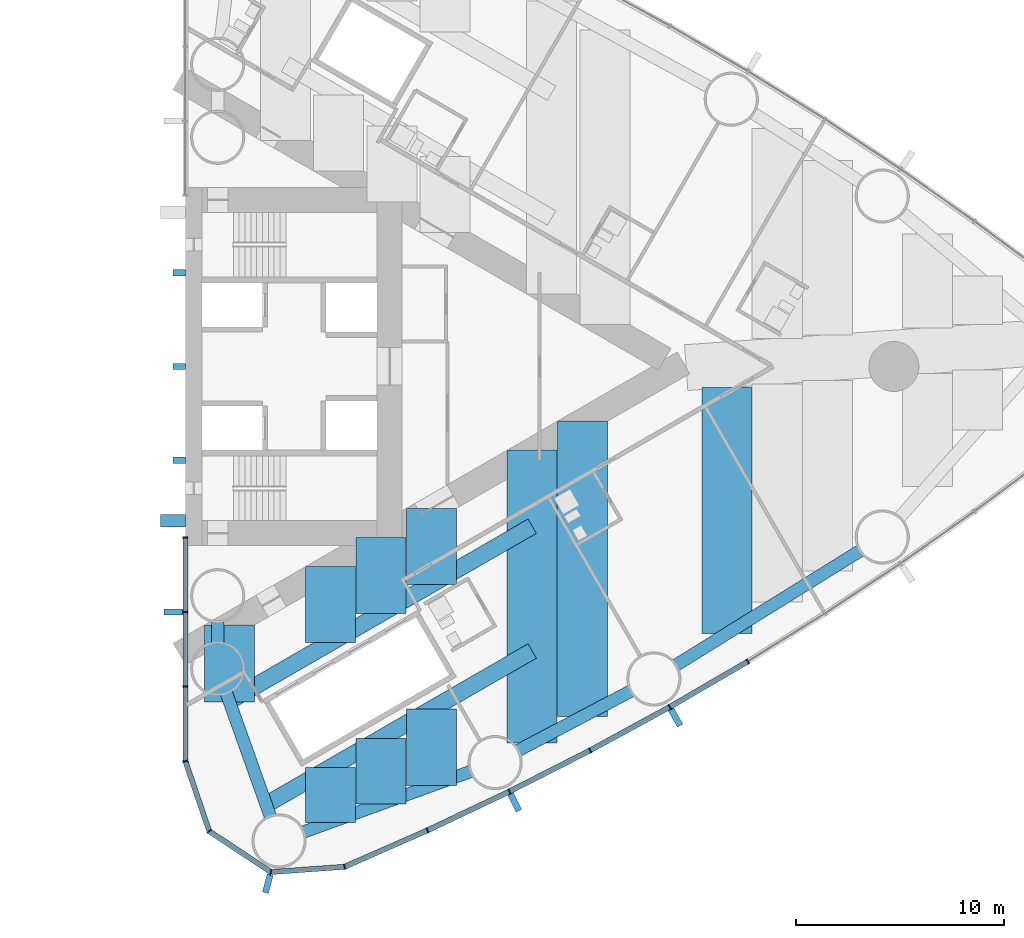
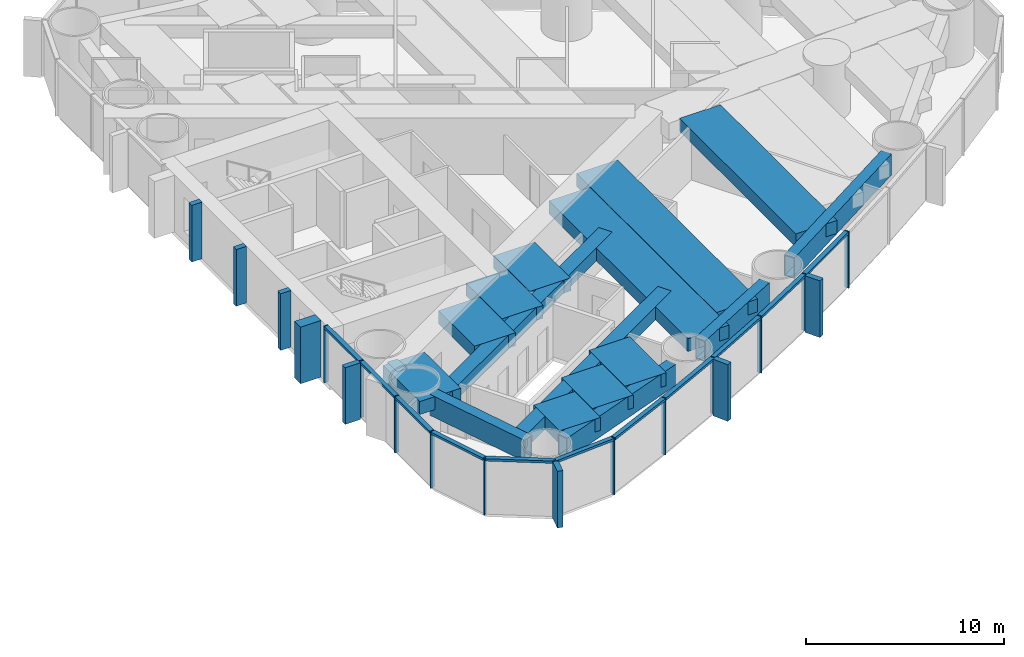
# One storey, part 6 of 18: 31 members, 17 beams, 1 element without a shape of its own.
"""IFC4 building model written with IfcOpenShell, lengths in metres."""

from ifc_helpers import new_model, si_unit, direction, frame, origin, origin_2d, place, context, subcontext, project, spatial, rectangle, hollow_rectangle, extrude, material, material_profile, profile_set, type_object, element, aggregate, save


model = new_model("IFC4")

# Units and contexts
model_context = context("Model", 3, precision=1e-05, world=origin(), true_north=direction((0.0, 1.0)))
body_context = subcontext(model_context, "Body", "Model", "MODEL_VIEW")
ifc_project = project(units=[si_unit("LENGTHUNIT", "METRE"), si_unit("AREAUNIT", "SQUARE_METRE"), si_unit("VOLUMEUNIT", "CUBIC_METRE"), si_unit("PLANEANGLEUNIT", "RADIAN"), si_unit("MASSUNIT", "GRAM", prefix="KILO")], contexts=[model_context])

# Site, building, storey
site_placement = place(None, origin())
site = spatial("IfcSite", under=ifc_project, at=site_placement, CompositionType="ELEMENT")
building_placement = place(site_placement, origin())
building = spatial("IfcBuilding", under=site, at=building_placement, Name="Lancet Gate Hotel", CompositionType="ELEMENT")
storey_placement = place(building_placement, frame((0.0, 0.0, 139.60009765625)))
storey = spatial("IfcBuildingStorey", under=building, at=storey_placement, Name="L37", CompositionType="ELEMENT", Elevation=139.60009765625)

# Curtain wall, members
ifc_material_1 = material(Name="Aluminium curtain wall", Category="aluminium")
curtain_wall_type = type_object("IfcCurtainWallType", Name="Tower unitised curtain wall", PredefinedType="USERDEFINED", material=ifc_material_1)
curtain_wall_placement = place(storey_placement, origin())
curtain_wall = element("IfcCurtainWall", 1, at=curtain_wall_placement, inside=storey, type_object=curtain_wall_type, Name="T2 L37 curtain wall 1", ObjectType="UNITISED CURTAIN WALL", PredefinedType="USERDEFINED")
ifc_material_2 = material(Name="Aluminium mullion", Category="aluminium")
ifc_material_profile_1 = material_profile(ifc_material_2, rectangle(XDim=0.06494140625, YDim=0.25, at=origin_2d()), Name="MULLION 65x250")
ifc_profile_set_1 = profile_set([ifc_material_profile_1], Name="Aluminium mullion")
member_type_1 = type_object("IfcMemberType", Name="Aluminium mullion 65x250", PredefinedType="MULLION", material=ifc_profile_set_1)
member_1_placement = place(storey_placement, frame((27.5, -8.199951171875, 0.0), z_axis=(0.0, 0.0, 1.0), x_axis=(0.0, -1.0, 0.0)))
member_1 = element("IfcMember", 2, at=member_1_placement, type_object=member_type_1, Name="T2 L37 curtain wall 1 mullion 1", PredefinedType="MULLION", context=body_context, shape_type="SweptSolid", body=[
    extrude(rectangle(XDim=0.06494140625, YDim=0.25, at=origin_2d()), origin(), (0.0, 0.0, 1.0), 3.5),
])
member_2_placement = place(storey_placement, frame((27.5, -11.781005859375, 0.0), z_axis=(0.0, 0.0, 1.0), x_axis=(0.0, -1.0, 0.0)))
member_2 = element("IfcMember", 3, at=member_2_placement, type_object=member_type_1, Name="T2 L37 curtain wall 1 mullion 2", PredefinedType="MULLION", context=body_context, shape_type="SweptSolid", body=[
    extrude(rectangle(XDim=0.06494140625, YDim=0.25, at=origin_2d()), origin(), (0.0, 0.0, 1.0), 3.5),
])
member_3_placement = place(storey_placement, frame((27.5, -15.362060546875, 0.0), z_axis=(0.0, 0.0, 1.0), x_axis=(0.0, -1.0, 0.0)))
member_3 = element("IfcMember", 4, at=member_3_placement, type_object=member_type_1, Name="T2 L37 curtain wall 1 mullion 3", PredefinedType="MULLION", context=body_context, shape_type="SweptSolid", body=[
    extrude(rectangle(XDim=0.06494140625, YDim=0.25, at=origin_2d()), origin(), (0.0, 0.0, 1.0), 3.5),
])
member_4_placement = place(storey_placement, frame((27.5, -18.94287109375, 0.0), z_axis=(0.0, 0.0, 1.0), x_axis=(0.162738742557, -0.986669195663, 0.0)))
member_4 = element("IfcMember", 5, at=member_4_placement, type_object=member_type_1, Name="T2 L37 curtain wall 1 mullion 4", PredefinedType="MULLION", context=body_context, shape_type="SweptSolid", body=[
    extrude(rectangle(XDim=0.06494140625, YDim=0.25, at=origin_2d()), origin(), (0.0, 0.0, 1.0), 3.5),
])
member_5_placement = place(storey_placement, frame((28.64453125, -22.301513671875, 0.0), z_axis=(0.0, 0.0, 1.0), x_axis=(0.610663954798, -0.79188984986, 0.0)))
member_5 = element("IfcMember", 6, at=member_5_placement, type_object=member_type_1, Name="T2 L37 curtain wall 1 mullion 5", PredefinedType="MULLION", context=body_context, shape_type="SweptSolid", body=[
    extrude(rectangle(XDim=0.06494140625, YDim=0.25, at=origin_2d()), origin(), (0.0, 0.0, 1.0), 3.5),
])
member_6_placement = place(storey_placement, frame((31.60205078125, -24.26220703125, 0.0), z_axis=(0.0, 0.0, 1.0), x_axis=(0.967157174963, -0.254179068604, 0.0)))
member_6 = element("IfcMember", 7, at=member_6_placement, type_object=member_type_1, Name="T2 L37 curtain wall 1 mullion 6", PredefinedType="MULLION", context=body_context, shape_type="SweptSolid", body=[
    extrude(rectangle(XDim=0.06494140625, YDim=0.25, at=origin_2d()), origin(), (0.0, 0.0, 1.0), 3.5),
])
member_7_placement = place(storey_placement, frame((35.141357421875, -24.009033203125, 0.0), z_axis=(0.0, 0.0, 1.0), x_axis=(0.966317378791, 0.257353304711, 0.0)))
member_7 = element("IfcMember", 8, at=member_7_placement, type_object=member_type_1, Name="T2 L37 curtain wall 1 mullion 7", PredefinedType="MULLION", context=body_context, shape_type="SweptSolid", body=[
    extrude(rectangle(XDim=0.06494140625, YDim=0.25, at=origin_2d()), origin(), (0.0, 0.0, 1.0), 3.5),
])
member_8_placement = place(storey_placement, frame((39.12109375, -22.259765625, 0.0), z_axis=(0.0, 0.0, 1.0), x_axis=(0.909672766767, 0.415325724465, 0.0)))
member_8 = element("IfcMember", 9, at=member_8_placement, type_object=member_type_1, Name="T2 L37 curtain wall 1 mullion 8", PredefinedType="MULLION", context=body_context, shape_type="SweptSolid", body=[
    extrude(rectangle(XDim=0.06494140625, YDim=0.25, at=origin_2d()), origin(), (0.0, 0.0, 1.0), 3.5),
])
member_9_placement = place(storey_placement, frame((43.0498046875, -20.398193359375, 0.0), z_axis=(0.0, 0.0, 1.0), x_axis=(0.897511886496, 0.440990264743, 0.0)))
member_9 = element("IfcMember", 10, at=member_9_placement, type_object=member_type_1, Name="T2 L37 curtain wall 1 mullion 9", PredefinedType="MULLION", context=body_context, shape_type="SweptSolid", body=[
    extrude(rectangle(XDim=0.06494140625, YDim=0.25, at=origin_2d()), origin(), (0.0, 0.0, 1.0), 3.5),
])
member_10_placement = place(storey_placement, frame((46.923828125, -18.426025390625, 0.0), z_axis=(0.0, 0.0, 1.0), x_axis=(0.884627112962, 0.466299121822, 0.0)))
member_10 = element("IfcMember", 11, at=member_10_placement, type_object=member_type_1, Name="T2 L37 curtain wall 1 mullion 10", PredefinedType="MULLION", context=body_context, shape_type="SweptSolid", body=[
    extrude(rectangle(XDim=0.06494140625, YDim=0.25, at=origin_2d()), origin(), (0.0, 0.0, 1.0), 3.5),
])
member_11_placement = place(storey_placement, frame((50.740478515625, -16.344482421875, 0.0), z_axis=(0.0, 0.0, 1.0), x_axis=(0.871028838445, 0.491231882716, 0.0)))
member_11 = element("IfcMember", 12, at=member_11_placement, type_object=member_type_1, Name="T2 L37 curtain wall 1 mullion 11", PredefinedType="MULLION", context=body_context, shape_type="SweptSolid", body=[
    extrude(rectangle(XDim=0.06494140625, YDim=0.25, at=origin_2d()), origin(), (0.0, 0.0, 1.0), 3.5),
])
member_12_placement = place(storey_placement, frame((54.496337890625, -14.1552734375, 0.0), z_axis=(0.0, 0.0, 1.0), x_axis=(0.856728030701, 0.515768437781, 0.0)))
member_12 = element("IfcMember", 13, at=member_12_placement, type_object=member_type_1, Name="T2 L37 curtain wall 1 mullion 12", PredefinedType="MULLION", context=body_context, shape_type="SweptSolid", body=[
    extrude(rectangle(XDim=0.06494140625, YDim=0.25, at=origin_2d()), origin(), (0.0, 0.0, 1.0), 3.5),
])
ifc_material_3 = material(Name="Aluminium transom", Category="aluminium")
ifc_material_profile_2 = material_profile(ifc_material_3, rectangle(XDim=0.25, YDim=0.14990234375, at=origin_2d()), Name="TRANSOM 250x150")
ifc_profile_set_2 = profile_set([ifc_material_profile_2], Name="Aluminium transom")
member_type_2 = type_object("IfcMemberType", Name="Aluminium transom 250x150", PredefinedType="USERDEFINED", material=ifc_profile_set_2)
member_13_placement = place(storey_placement, frame((27.5, -8.232421875, 3.4248046875), z_axis=(0.0, -1.0, 0.0), x_axis=(1.0, 0.0, 0.0)))
member_13 = element("IfcMember", 14, at=member_13_placement, type_object=member_type_2, Name="T2 L37 curtain wall 1 transom 1", ObjectType="TRANSOM", PredefinedType="USERDEFINED", context=body_context, shape_type="SweptSolid", body=[
    extrude(rectangle(XDim=0.25, YDim=0.14990234375, at=origin_2d()), origin(), (0.0, 0.0, 1.0), 3.51611328125),
])
member_14_placement = place(storey_placement, frame((27.5, -11.8134765625, 3.4248046875), z_axis=(0.0, -1.0, 0.0), x_axis=(1.0, 0.0, 0.0)))
member_14 = element("IfcMember", 15, at=member_14_placement, type_object=member_type_2, Name="T2 L37 curtain wall 1 transom 2", ObjectType="TRANSOM", PredefinedType="USERDEFINED", context=body_context, shape_type="SweptSolid", body=[
    extrude(rectangle(XDim=0.25, YDim=0.14990234375, at=origin_2d()), origin(), (0.0, 0.0, 1.0), 3.515869140625),
])
member_15_placement = place(storey_placement, frame((27.5, -15.39453125, 3.4248046875), z_axis=(0.0, -1.0, 0.0), x_axis=(1.0, 0.0, 0.0)))
member_15 = element("IfcMember", 16, at=member_15_placement, type_object=member_type_2, Name="T2 L37 curtain wall 1 transom 3", ObjectType="TRANSOM", PredefinedType="USERDEFINED", context=body_context, shape_type="SweptSolid", body=[
    extrude(rectangle(XDim=0.25, YDim=0.14990234375, at=origin_2d()), origin(), (0.0, 0.0, 1.0), 3.515869140625),
])
member_16_placement = place(storey_placement, frame((27.510498046875, -18.9736328125, 3.4248046875), z_axis=(0.322549769135, -0.946552505903, 0.0), x_axis=(0.946552505903, 0.322549769135, 0.0)))
member_16 = element("IfcMember", 17, at=member_16_placement, type_object=member_type_2, Name="T2 L37 curtain wall 1 transom 4", ObjectType="TRANSOM", PredefinedType="USERDEFINED", context=body_context, shape_type="SweptSolid", body=[
    extrude(rectangle(XDim=0.25, YDim=0.14990234375, at=origin_2d()), origin(), (0.0, 0.0, 1.0), 3.4833984375),
])
member_17_placement = place(storey_placement, frame((28.671630859375, -22.319580078125, 3.4248046875), z_axis=(0.833470854141, -0.552563421968, 0.0), x_axis=(0.552563421968, 0.833470854141, 0.0)))
member_17 = element("IfcMember", 18, at=member_17_placement, type_object=member_type_2, Name="T2 L37 curtain wall 1 transom 5", ObjectType="TRANSOM", PredefinedType="USERDEFINED", context=body_context, shape_type="SweptSolid", body=[
    extrude(rectangle(XDim=0.25, YDim=0.14990234375, at=origin_2d()), origin(), (0.0, 0.0, 1.0), 3.4833984375),
])
member_18_placement = place(storey_placement, frame((31.634521484375, -24.260009765625, 3.4248046875), z_axis=(0.997446232115, 0.071421383636, 0.0), x_axis=(-0.071421383636, 0.997446232115, 0.0)))
member_18 = element("IfcMember", 19, at=member_18_placement, type_object=member_type_2, Name="T2 L37 curtain wall 1 transom 6", ObjectType="TRANSOM", PredefinedType="USERDEFINED", context=body_context, shape_type="SweptSolid", body=[
    extrude(rectangle(XDim=0.25, YDim=0.14990234375, at=origin_2d()), origin(), (0.0, 0.0, 1.0), 3.483154296875),
])
member_19_placement = place(storey_placement, frame((35.171142578125, -23.995849609375, 3.4248046875), z_axis=(0.915484772266, 0.402352621155, 0.0), x_axis=(-0.402352621155, 0.915484772266, 0.0)))
member_19 = element("IfcMember", 20, at=member_19_placement, type_object=member_type_2, Name="T2 L37 curtain wall 1 transom 7", ObjectType="TRANSOM", PredefinedType="USERDEFINED", context=body_context, shape_type="SweptSolid", body=[
    extrude(rectangle(XDim=0.25, YDim=0.14990234375, at=origin_2d()), origin(), (0.0, 0.0, 1.0), 4.281982421875),
])
member_20_placement = place(storey_placement, frame((39.150634765625, -22.245849609375, 3.4248046875), z_axis=(0.903679787814, 0.428208875546, 0.0), x_axis=(-0.428208875546, 0.903679787814, 0.0)))
member_20 = element("IfcMember", 21, at=member_20_placement, type_object=member_type_2, Name="T2 L37 curtain wall 1 transom 8", ObjectType="TRANSOM", PredefinedType="USERDEFINED", context=body_context, shape_type="SweptSolid", body=[
    extrude(rectangle(XDim=0.25, YDim=0.14990234375, at=origin_2d()), origin(), (0.0, 0.0, 1.0), 4.282470703125),
])
member_21_placement = place(storey_placement, frame((43.07861328125, -20.383544921875, 3.4248046875), z_axis=(0.891165630033, 0.453678101574, 0.0), x_axis=(-0.453678101574, 0.891165630033, 0.0)))
member_21 = element("IfcMember", 22, at=member_21_placement, type_object=member_type_2, Name="T2 L37 curtain wall 1 transom 9", ObjectType="TRANSOM", PredefinedType="USERDEFINED", context=body_context, shape_type="SweptSolid", body=[
    extrude(rectangle(XDim=0.25, YDim=0.14990234375, at=origin_2d()), origin(), (0.0, 0.0, 1.0), 4.282470703125),
])
member_22_placement = place(storey_placement, frame((46.952392578125, -18.410400390625, 3.4248046875), z_axis=(0.877906466435, 0.478832158685, 0.0), x_axis=(-0.478832158685, 0.877906466435, 0.0)))
member_22 = element("IfcMember", 23, at=member_22_placement, type_object=member_type_2, Name="T2 L37 curtain wall 1 transom 10", ObjectType="TRANSOM", PredefinedType="USERDEFINED", context=body_context, shape_type="SweptSolid", body=[
    extrude(rectangle(XDim=0.25, YDim=0.14990234375, at=origin_2d()), origin(), (0.0, 0.0, 1.0), 4.282470703125),
])
member_23_placement = place(storey_placement, frame((50.7685546875, -16.327880859375, 3.4248046875), z_axis=(0.863973212152, 0.503537772847, 0.0), x_axis=(-0.503537772847, 0.863973212152, 0.0)))
member_23 = element("IfcMember", 24, at=member_23_placement, type_object=member_type_2, Name="T2 L37 curtain wall 1 transom 11", ObjectType="TRANSOM", PredefinedType="USERDEFINED", context=body_context, shape_type="SweptSolid", body=[
    extrude(rectangle(XDim=0.25, YDim=0.14990234375, at=origin_2d()), origin(), (0.0, 0.0, 1.0), 4.2822265625),
])

# Beams
ifc_material_4 = material(Name="Steel S460QL", Category="steel")
ifc_material_profile_3 = material_profile(ifc_material_4, hollow_rectangle(XDim=0.60009765625, YDim=1.300048828125, WallThickness=0.050048828125, at=origin_2d()), Name="BOX 1300x600x50")
ifc_profile_set_3 = profile_set([ifc_material_profile_3], Name="Steel S460QL")
beam_type_1 = type_object("IfcBeamType", Name="Edge beam BOX 1300x600x50", PredefinedType="SPANDREL", material=ifc_profile_set_3)
beam_1_placement = place(storey_placement, frame((33.17138671875, -22.337646484375, 2.599853515625), z_axis=(0.94022224136, 0.340561502305, 0.0), x_axis=(-0.340561502305, 0.94022224136, 0.0)))
element("IfcBeam", 25, at=beam_1_placement, inside=storey, type_object=beam_type_1, Name="T2 edge beam EB2 L37", PredefinedType="SPANDREL", context=body_context, shape_type="SweptSolid", body=[
    extrude(hollow_rectangle(XDim=0.60009765625, YDim=1.300048828125, WallThickness=0.050048828125, at=origin_2d()), origin(), (0.0, 0.0, 1.0), 8.529296875),
])
beam_2_placement = place(storey_placement, frame((43.471923828125, -18.42431640625, 2.599853515625), z_axis=(0.884624882646, 0.466303352984, 0.0), x_axis=(-0.466303352984, 0.884624882646, 0.0)))
element("IfcBeam", 26, at=beam_2_placement, inside=storey, type_object=beam_type_1, Name="T2 edge beam EB2 L37", PredefinedType="SPANDREL", context=body_context, shape_type="SweptSolid", body=[
    extrude(hollow_rectangle(XDim=0.60009765625, YDim=1.300048828125, WallThickness=0.050048828125, at=origin_2d()), origin(), (0.0, 0.0, 1.0), 6.105712890625),
])
beam_3_placement = place(storey_placement, frame((51.040771484375, -14.33447265625, 2.599853515625), z_axis=(0.849316311932, 0.527884269785, 0.0), x_axis=(-0.527884269785, 0.849316311932, 0.0)))
element("IfcBeam", 27, at=beam_3_placement, inside=storey, type_object=beam_type_1, Name="T2 edge beam EB2 L37", PredefinedType="SPANDREL", context=body_context, shape_type="SweptSolid", body=[
    extrude(hollow_rectangle(XDim=0.60009765625, YDim=1.300048828125, WallThickness=0.050048828125, at=origin_2d()), origin(), (0.0, 0.0, 1.0), 10.406494140625),
])
beam_4_placement = place(storey_placement, frame((31.576171875, -21.585693359375, 2.599853515625), z_axis=(-0.335823485709, 0.941924936737, 0.0), x_axis=(-0.941924936737, -0.335823485709, 0.0)))
element("IfcBeam", 28, at=beam_4_placement, inside=storey, type_object=beam_type_1, Name="T2 edge beam EB2 L37", PredefinedType="SPANDREL", context=body_context, shape_type="SweptSolid", body=[
    extrude(hollow_rectangle(XDim=0.60009765625, YDim=1.300048828125, WallThickness=0.050048828125, at=origin_2d()), origin(), (0.0, 0.0, 1.0), 6.2724609375),
])

# Member
ifc_material_5 = material(Name="Concrete C60/75", Category="concrete")
ifc_material_profile_4 = material_profile(ifc_material_5, rectangle(XDim=0.60009765625, YDim=1.199951171875, at=origin_2d()), Name="FIN 600x1200")
ifc_profile_set_4 = profile_set([ifc_material_profile_4], Name="Concrete C60/75")
member_type_3 = type_object("IfcMemberType", Name="Exposed concrete buttress pilaster 600x1200", PredefinedType="USERDEFINED", material=ifc_profile_set_4)
member_24_placement = place(storey_placement, frame((26.909912109375, -7.39990234375, 0.0), z_axis=(0.0, 0.0, 1.0), x_axis=(0.0, 1.0, 0.0)))
element("IfcMember", 29, at=member_24_placement, inside=storey, type_object=member_type_3, Name="T2 buttress pilaster S L37", ObjectType="FIN", PredefinedType="USERDEFINED", context=body_context, shape_type="SweptSolid", body=[
    extrude(rectangle(XDim=0.60009765625, YDim=1.199951171875, at=origin_2d()), origin(), (0.0, 0.0, 1.0), 3.5),
])

ifc_material_6 = material(Name="Precast concrete C50/60", Category="concrete")
ifc_material_profile_5 = material_profile(ifc_material_6, rectangle(XDim=0.300048828125, YDim=0.89990234375, at=origin_2d()), Name="FIN 300x900")
ifc_profile_set_5 = profile_set([ifc_material_profile_5], Name="Precast concrete C50/60")
member_type_4 = type_object("IfcMemberType", Name="Exposed concrete fin 300x900", PredefinedType="USERDEFINED", material=ifc_profile_set_5)
member_25_placement = place(storey_placement, frame((26.925048828125, -11.781005859375, 0.0), z_axis=(0.0, 0.0, 1.0), x_axis=(0.0, -1.0, 0.0)))
member_25 = element("IfcMember", 30, at=member_25_placement, type_object=member_type_4, Name="T2 L37 curtain wall 1 fin 2", ObjectType="FIN", PredefinedType="USERDEFINED", context=body_context, shape_type="SweptSolid", body=[
    extrude(rectangle(XDim=0.300048828125, YDim=0.89990234375, at=origin_2d()), origin(), (0.0, 0.0, 1.0), 3.5),
])

member_26_placement = place(storey_placement, frame((31.455810546875, -24.818359375, 0.0), z_axis=(0.0, 0.0, 1.0), x_axis=(0.967157174963, -0.254179068604, 0.0)))
member_26 = element("IfcMember", 31, at=member_26_placement, type_object=member_type_4, Name="T2 L37 curtain wall 1 fin 6", ObjectType="FIN", PredefinedType="USERDEFINED", context=body_context, shape_type="SweptSolid", body=[
    extrude(rectangle(XDim=0.300048828125, YDim=0.89990234375, at=origin_2d()), origin(), (0.0, 0.0, 1.0), 3.5),
])

member_27_placement = place(storey_placement, frame((43.30322265625, -20.914306640625, 0.0), z_axis=(0.0, 0.0, 1.0), x_axis=(0.897511886496, 0.440990264743, 0.0)))
member_27 = element("IfcMember", 32, at=member_27_placement, type_object=member_type_4, Name="T2 L37 curtain wall 1 fin 9", ObjectType="FIN", PredefinedType="USERDEFINED", context=body_context, shape_type="SweptSolid", body=[
    extrude(rectangle(XDim=0.300048828125, YDim=0.89990234375, at=origin_2d()), origin(), (0.0, 0.0, 1.0), 3.5),
])

member_28_placement = place(storey_placement, frame((51.02294921875, -16.84521484375, 0.0), z_axis=(0.0, 0.0, 1.0), x_axis=(0.871028838445, 0.491231882716, 0.0)))
member_28 = element("IfcMember", 33, at=member_28_placement, type_object=member_type_4, Name="T2 L37 curtain wall 1 fin 11", ObjectType="FIN", PredefinedType="USERDEFINED", context=body_context, shape_type="SweptSolid", body=[
    extrude(rectangle(XDim=0.300048828125, YDim=0.89990234375, at=origin_2d()), origin(), (0.0, 0.0, 1.0), 3.5),
])

aggregate(curtain_wall, [member_1, member_2, member_25, member_3, member_4, member_5, member_6, member_26, member_7, member_8, member_9, member_27, member_10, member_11, member_28, member_12, member_13, member_14, member_15, member_16, member_17, member_18, member_19, member_20, member_21, member_22, member_23])

# Members
ifc_material_7 = material(Name="Concrete C60/75", Category="concrete")
ifc_material_profile_6 = material_profile(ifc_material_7, rectangle(XDim=0.300048828125, YDim=0.60009765625, at=origin_2d()), Name="FIN 300x600")
ifc_profile_set_6 = profile_set([ifc_material_profile_6], Name="Concrete C60/75")
member_type_5 = type_object("IfcMemberType", Name="Exposed concrete rib 300x600", PredefinedType="USERDEFINED", material=ifc_profile_set_6)
for number, where, z_axis, x_axis, name in (
    (34, (27.2099609375, -4.5, 0.0), (0.0, 0.0, 1.0), (0.0, 1.0, 0.0), "T2 core rib 1 L37"),
    (35, (27.2099609375, 0.0, 0.0), (0.0, 0.0, 1.0), (0.0, 1.0, 0.0), "T2 core rib 2 L37"),
    (36, (27.2099609375, 4.5, 0.0), (0.0, 0.0, 1.0), (0.0, 1.0, 0.0), "T2 core rib 3 L37"),
):
    element("IfcMember", number, at=place(storey_placement, frame(where, z_axis=z_axis, x_axis=x_axis)), inside=storey, type_object=member_type_5, Name=name, ObjectType="FIN", PredefinedType="USERDEFINED", context=body_context, shape_type="SweptSolid", body=[
        extrude(rectangle(XDim=0.300048828125, YDim=0.60009765625, at=origin_2d()), origin(), (0.0, 0.0, 1.0), 3.5),
    ])

# Beams
ifc_material_8 = material(Name="Concrete C50/60", Category="concrete")
ifc_material_profile_7 = material_profile(ifc_material_8, rectangle(XDim=2.39990234375, YDim=0.800048828125, at=origin_2d()), Name="RC 2400x800")
ifc_profile_set_7 = profile_set([ifc_material_profile_7], Name="Concrete C50/60")
beam_type_2 = type_object("IfcBeamType", Name="Floor beam RC 2400x800", PredefinedType="BEAM", material=ifc_profile_set_7)
beam_5_placement = place(storey_placement, frame((29.6201171875, -16.099365234375, 2.849853515625), z_axis=(0.0, 1.0, 0.0), x_axis=(-1.0, 0.0, 0.0)))
element("IfcBeam", 37, at=beam_5_placement, inside=storey, type_object=beam_type_2, Name="T2 floor beam F01S L37", PredefinedType="BEAM", context=body_context, shape_type="SweptSolid", body=[
    extrude(rectangle(XDim=2.39990234375, YDim=0.800048828125, at=origin_2d()), origin(), (0.0, 0.0, 1.0), 3.69677734375),
])
beam_6_placement = place(storey_placement, frame((44.1416015625, -18.0712890625, 2.849853515625), z_axis=(0.0, 1.0, 0.0), x_axis=(-1.0, 0.0, 0.0)))
element("IfcBeam", 38, at=beam_6_placement, inside=storey, type_object=beam_type_2, Name="T2 floor beam F09S L37", PredefinedType="BEAM", context=body_context, shape_type="SweptSolid", body=[
    extrude(rectangle(XDim=2.39990234375, YDim=0.800048828125, at=origin_2d()), origin(), (0.0, 0.0, 1.0), 14.052490234375),
])
beam_7_placement = place(storey_placement, frame((46.561767578125, -16.795654296875, 2.849853515625), z_axis=(0.0, 1.0, 0.0), x_axis=(-1.0, 0.0, 0.0)))
element("IfcBeam", 39, at=beam_7_placement, inside=storey, type_object=beam_type_2, Name="T2 floor beam F11S L37", PredefinedType="BEAM", context=body_context, shape_type="SweptSolid", body=[
    extrude(rectangle(XDim=2.39990234375, YDim=0.800048828125, at=origin_2d()), origin(), (0.0, 0.0, 1.0), 14.17431640625),
])
beam_8_placement = place(storey_placement, frame((53.502197265625, -12.804443359375, 2.849853515625), z_axis=(0.0, 1.0, 0.0), x_axis=(-1.0, 0.0, 0.0)))
element("IfcBeam", 40, at=beam_8_placement, inside=storey, type_object=beam_type_2, Name="T2 floor beam F13S L37", PredefinedType="BEAM", context=body_context, shape_type="SweptSolid", body=[
    extrude(rectangle(XDim=2.39990234375, YDim=0.800048828125, at=origin_2d()), origin(), (0.0, 0.0, 1.0), 11.78564453125),
])
beam_9_placement = place(storey_placement, frame((34.460693359375, -21.87060546875, 2.849853515625), z_axis=(0.0, 1.0, 0.0), x_axis=(-1.0, 0.0, 0.0)))
element("IfcBeam", 41, at=beam_9_placement, inside=storey, type_object=beam_type_2, Name="T2 floor beam F03SA L37", PredefinedType="BEAM", context=body_context, shape_type="SweptSolid", body=[
    extrude(rectangle(XDim=2.39990234375, YDim=0.800048828125, at=origin_2d()), origin(), (0.0, 0.0, 1.0), 2.62939453125),
])
beam_10_placement = place(storey_placement, frame((34.460693359375, -13.253662109375, 2.849853515625), z_axis=(0.0, 1.0, 0.0), x_axis=(-1.0, 0.0, 0.0)))
element("IfcBeam", 42, at=beam_10_placement, inside=storey, type_object=beam_type_2, Name="T2 floor beam F03SB L37", PredefinedType="BEAM", context=body_context, shape_type="SweptSolid", body=[
    extrude(rectangle(XDim=2.39990234375, YDim=0.800048828125, at=origin_2d()), origin(), (0.0, 0.0, 1.0), 3.645751953125),
])
beam_11_placement = place(storey_placement, frame((36.880859375, -20.993896484375, 2.849853515625), z_axis=(0.0, 1.0, 0.0), x_axis=(-1.0, 0.0, 0.0)))
element("IfcBeam", 43, at=beam_11_placement, inside=storey, type_object=beam_type_2, Name="T2 floor beam F05SA L37", PredefinedType="BEAM", context=body_context, shape_type="SweptSolid", body=[
    extrude(rectangle(XDim=2.39990234375, YDim=0.800048828125, at=origin_2d()), origin(), (0.0, 0.0, 1.0), 3.150146484375),
])
beam_12_placement = place(storey_placement, frame((36.880859375, -11.8564453125, 2.849853515625), z_axis=(0.0, 1.0, 0.0), x_axis=(-1.0, 0.0, 0.0)))
element("IfcBeam", 44, at=beam_12_placement, inside=storey, type_object=beam_type_2, Name="T2 floor beam F05SB L37", PredefinedType="BEAM", context=body_context, shape_type="SweptSolid", body=[
    extrude(rectangle(XDim=2.39990234375, YDim=0.800048828125, at=origin_2d()), origin(), (0.0, 0.0, 1.0), 3.645751953125),
])
beam_13_placement = place(storey_placement, frame((39.301025390625, -20.1171875, 2.849853515625), z_axis=(0.0, 1.0, 0.0), x_axis=(-1.0, 0.0, 0.0)))
element("IfcBeam", 45, at=beam_13_placement, inside=storey, type_object=beam_type_2, Name="T2 floor beam F07SA L37", PredefinedType="BEAM", context=body_context, shape_type="SweptSolid", body=[
    extrude(rectangle(XDim=2.39990234375, YDim=0.800048828125, at=origin_2d()), origin(), (0.0, 0.0, 1.0), 3.670654296875),
])
beam_14_placement = place(storey_placement, frame((39.301025390625, -10.458984375, 2.849853515625), z_axis=(0.0, 1.0, 0.0), x_axis=(-1.0, 0.0, 0.0)))
element("IfcBeam", 46, at=beam_14_placement, inside=storey, type_object=beam_type_2, Name="T2 floor beam F07SB L37", PredefinedType="BEAM", context=body_context, shape_type="SweptSolid", body=[
    extrude(rectangle(XDim=2.39990234375, YDim=0.800048828125, at=origin_2d()), origin(), (0.0, 0.0, 1.0), 3.6455078125),
])
ifc_material_9 = material(Name="Steel S460QL", Category="steel")
ifc_material_profile_8 = material_profile(ifc_material_9, hollow_rectangle(XDim=0.60009765625, YDim=1.5, WallThickness=0.050048828125, at=origin_2d()), Name="BOX 1500x600x50")
ifc_profile_set_8 = profile_set([ifc_material_profile_8], Name="Steel S460QL")
beam_type_3 = type_object("IfcBeamType", Name="Inner-face link beam BOX 1500x600x50", PredefinedType="BEAM", material=ifc_profile_set_8)
beam_15_placement = place(storey_placement, frame((29.050048828125, -13.25, 2.5), z_axis=(0.0, 1.0, 0.0), x_axis=(-1.0, 0.0, 0.0)))
element("IfcBeam", 47, at=beam_15_placement, inside=storey, type_object=beam_type_3, Name="T2 inner-face link beam LK1 L37", PredefinedType="BEAM", context=body_context, shape_type="SweptSolid", body=[
    extrude(hollow_rectangle(XDim=0.60009765625, YDim=1.5, WallThickness=0.050048828125, at=origin_2d()), origin(), (0.0, 0.0, 1.0), 1.0),
])
ifc_material_10 = material(Name="Steel S460QL", Category="steel")
ifc_material_profile_9 = material_profile(ifc_material_10, hollow_rectangle(XDim=0.800048828125, YDim=0.800048828125, WallThickness=0.080078125, at=origin_2d()), Name="BOX 800x800x80")
ifc_profile_set_9 = profile_set([ifc_material_profile_9], Name="Steel S460QL")
beam_type_4 = type_object("IfcBeamType", Name="Trimmer beam BOX 800x800x80", PredefinedType="BEAM", material=ifc_profile_set_9)
beam_16_placement = place(storey_placement, frame((29.6201171875, -16.048095703125, 2.849853515625), z_axis=(0.866036714307, 0.499980409089, 0.0), x_axis=(-0.499980409089, 0.866036714307, 0.0)))
element("IfcBeam", 48, at=beam_16_placement, inside=storey, type_object=beam_type_4, Name="T2 trimmer beam TR01S L37", PredefinedType="BEAM", context=body_context, shape_type="SweptSolid", body=[
    extrude(hollow_rectangle(XDim=0.800048828125, YDim=0.800048828125, WallThickness=0.080078125, at=origin_2d()), origin(), (0.0, 0.0, 1.0), 16.767822265625),
])
beam_17_placement = place(storey_placement, frame((31.375244140625, -21.0224609375, 2.849853515625), z_axis=(0.86603417384, 0.49998480951, 0.0), x_axis=(-0.49998480951, 0.86603417384, 0.0)))
element("IfcBeam", 49, at=beam_17_placement, inside=storey, type_object=beam_type_4, Name="T2 trimmer beam TR02S L37", PredefinedType="BEAM", context=body_context, shape_type="SweptSolid", body=[
    extrude(hollow_rectangle(XDim=0.800048828125, YDim=0.800048828125, WallThickness=0.080078125, at=origin_2d()), origin(), (0.0, 0.0, 1.0), 14.7412109375),
])

save(model, "model.ifc")
